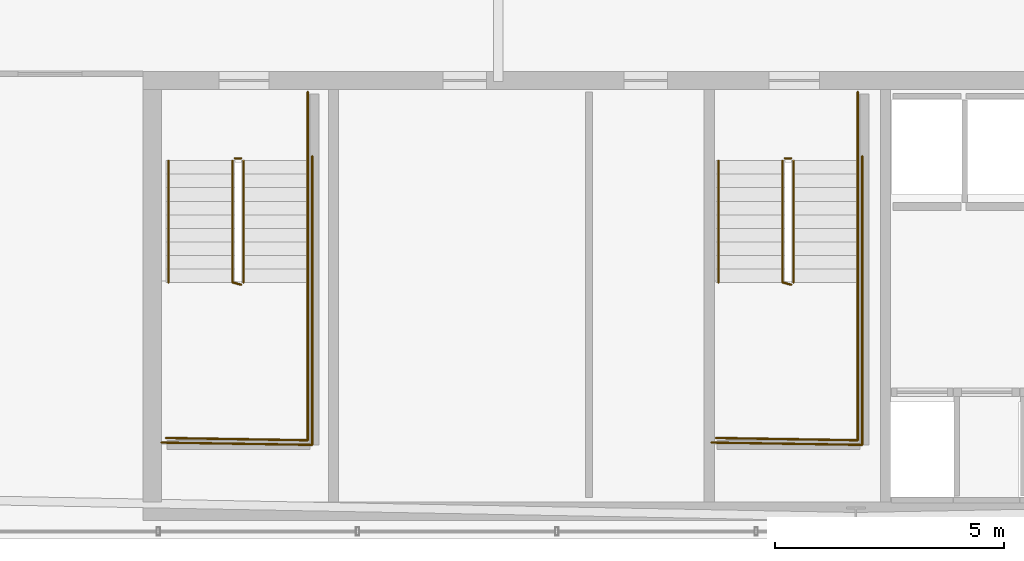
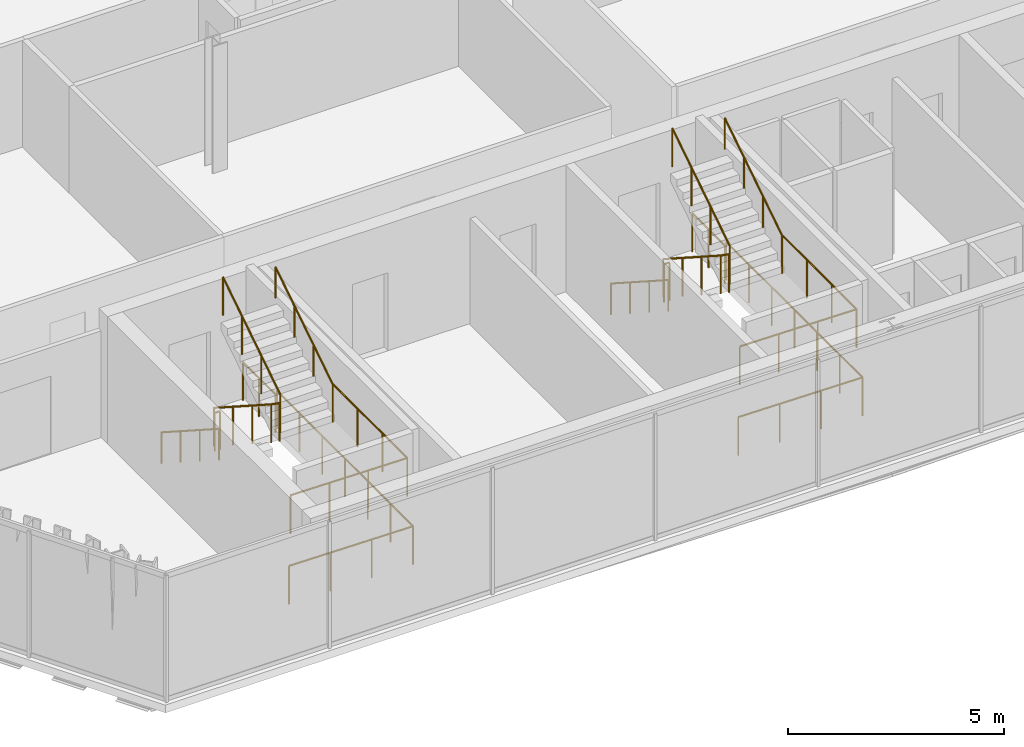
# One storey, part 27 of 29: 16 railings.
"""IFC4 building model written with IfcOpenShell, lengths in metres."""

from ifc_helpers import new_model, si_unit, direction, frame, origin, origin_2d, place, context, subcontext, project, spatial, circle, extrude, material, layer, layer_set, type_object, element, save


model = new_model("IFC4")

# Units and contexts
model_context = context("Model", 3, precision=1e-05, world=origin(), true_north=direction((0.0, 1.0)))
body_context = subcontext(model_context, "Body", "Model", "MODEL_VIEW")
ifc_project = project(units=[si_unit("LENGTHUNIT", "METRE"), si_unit("AREAUNIT", "SQUARE_METRE"), si_unit("VOLUMEUNIT", "CUBIC_METRE"), si_unit("PLANEANGLEUNIT", "RADIAN"), si_unit("MASSUNIT", "GRAM", prefix="KILO")], contexts=[model_context])

# Site, building, storey
site_placement = place(None, origin())
site = spatial("IfcSite", under=ifc_project, at=site_placement, CompositionType="ELEMENT")
building_placement = place(site_placement, origin())
building = spatial("IfcBuilding", under=site, at=building_placement, Name="Ndaravel Arena Tower", CompositionType="ELEMENT")
storey_placement = place(building_placement, frame((0.0, 0.0, 237.0)))
storey = spatial("IfcBuildingStorey", under=building, at=storey_placement, Name="L57", CompositionType="ELEMENT", Elevation=237.0)

# Railings
ifc_material_1 = material(Name="Steel S355", Category="steel")
ifc_layer_1 = layer(ifc_material_1, 0.06005859375)
ifc_layer_set_1 = layer_set([ifc_layer_1], Name="Steel S355")
railing_type_1 = type_object("IfcRailingType", Name="RAIL-STAIR-GD1100", PredefinedType="GUARDRAIL", material=ifc_layer_set_1)
railing_1_placement = place(storey_placement, frame((28.39990234375, 13.25, 0.18994140625)))
element("IfcRailing", 1, at=railing_1_placement, inside=storey, type_object=railing_type_1, Name="L57 ST-1 stair guard 1", PredefinedType="GUARDRAIL", context=body_context, shape_type="SweptSolid", body=[
    extrude(circle(Radius=0.02392578125, at=origin_2d()), frame((0.0, 0.0, 1.076171875), z_axis=(0.0, -0.840723540582, 0.54146461409), x_axis=(1.0, 0.0, 0.0)), (0.0, 0.0, 1.0), 3.157958984375),
    extrude(circle(Radius=0.02392578125, at=origin_2d()), frame((0.0, -2.655029296875, 2.7861328125), z_axis=(0.967074537263, -0.25449329928, 0.0), x_axis=(0.25449329928, 0.967074537263, 0.0)), (0.0, 0.0, 1.0), 0.19677734375),
    extrude(circle(Radius=0.02099609375, at=origin_2d()), origin(), (0.0, 0.0, 1.0), 1.052001953125),
    extrude(circle(Radius=0.02099609375, at=origin_2d()), frame((0.0, -0.885009765625, 0.570068359375)), (0.0, 0.0, 1.0), 1.052001953125),
    extrude(circle(Radius=0.02099609375, at=origin_2d()), frame((0.0, -1.77001953125, 1.139892578125)), (0.0, 0.0, 1.0), 1.052001953125),
    extrude(circle(Radius=0.02099609375, at=origin_2d()), frame((0.0, -2.655029296875, 1.7099609375)), (0.0, 0.0, 1.0), 1.052001953125),
    extrude(circle(Radius=0.02099609375, at=origin_2d()), frame((0.190185546875, -2.705078125, 1.7099609375)), (0.0, 0.0, 1.0), 1.052001953125),
])
railing_2_placement = place(storey_placement, frame((30.0400390625, 10.594970703125, 1.89990234375)))
element("IfcRailing", 2, at=railing_2_placement, inside=storey, type_object=railing_type_1, Name="L57 ST-1 stair guard 2", PredefinedType="GUARDRAIL", context=body_context, shape_type="SweptSolid", body=[
    extrude(circle(Radius=0.02392578125, at=origin_2d()), frame((0.0, 0.0, 1.076171875), z_axis=(0.0, -1.0, 0.0), x_axis=(1.0, 0.0, 0.0)), (0.0, 0.0, 1.0), 3.445068359375),
    extrude(circle(Radius=0.02392578125, at=origin_2d()), frame((0.0, -3.445068359375, 1.076171875), z_axis=(-0.999868861343, 0.016194447071, 0.0), x_axis=(-0.016194447071, -0.999868861343, 0.0)), (0.0, 0.0, 1.0), 3.090576171875),
    extrude(circle(Radius=0.02099609375, at=origin_2d()), origin(), (0.0, 0.0, 1.0), 1.052001953125),
    extrude(circle(Radius=0.02099609375, at=origin_2d()), frame((0.0, -1.1484375, 0.0)), (0.0, 0.0, 1.0), 1.052001953125),
    extrude(circle(Radius=0.02099609375, at=origin_2d()), frame((0.0, -2.296630859375, 0.0)), (0.0, 0.0, 1.0), 1.052001953125),
    extrude(circle(Radius=0.02099609375, at=origin_2d()), frame((0.0, -3.445068359375, 0.0)), (0.0, 0.0, 1.0), 1.052001953125),
    extrude(circle(Radius=0.02099609375, at=origin_2d()), frame((-1.030029296875, -3.428466796875, 0.0)), (0.0, 0.0, 1.0), 1.052001953125),
    extrude(circle(Radius=0.02099609375, at=origin_2d()), frame((-2.06005859375, -3.41162109375, 0.0)), (0.0, 0.0, 1.0), 1.052001953125),
    extrude(circle(Radius=0.02099609375, at=origin_2d()), frame((-3.090087890625, -3.39501953125, 0.0)), (0.0, 0.0, 1.0), 1.052001953125),
])
railing_3_placement = place(storey_placement, frame((28.639892578125, 10.594970703125, 2.090087890625)))
element("IfcRailing", 3, at=railing_3_placement, inside=storey, type_object=railing_type_1, Name="L57 ST-1 stair guard 3", PredefinedType="GUARDRAIL", context=body_context, shape_type="SweptSolid", body=[
    extrude(circle(Radius=0.02392578125, at=origin_2d()), frame((0.0, 0.0, 1.076171875), z_axis=(0.0, 0.840723540582, 0.54146461409), x_axis=(-1.0, 0.0, 0.0)), (0.0, 0.0, 1.0), 3.157958984375),
    extrude(circle(Radius=0.02099609375, at=origin_2d()), origin(), (0.0, 0.0, 1.0), 1.052001953125),
    extrude(circle(Radius=0.02099609375, at=origin_2d()), frame((0.0, 0.885009765625, 0.570068359375)), (0.0, 0.0, 1.0), 1.052001953125),
    extrude(circle(Radius=0.02099609375, at=origin_2d()), frame((0.0, 1.77001953125, 1.139892578125)), (0.0, 0.0, 1.0), 1.052001953125),
    extrude(circle(Radius=0.02099609375, at=origin_2d()), frame((0.0, 2.655029296875, 1.7099609375)), (0.0, 0.0, 1.0), 1.052001953125),
])
railing_4_placement = place(storey_placement, frame((28.449951171875, 13.300048828125, 0.0)))
element("IfcRailing", 4, at=railing_4_placement, inside=storey, type_object=railing_type_1, Name="L57 ST-1 stair guard 4", PredefinedType="GUARDRAIL", context=body_context, shape_type="SweptSolid", body=[
    extrude(circle(Radius=0.02392578125, at=origin_2d()), frame((0.0, 0.0, 1.076171875), z_axis=(1.0, 0.0, 0.0), x_axis=(0.0, 1.0, 0.0)), (0.0, 0.0, 1.0), 0.14013671875),
    extrude(circle(Radius=0.02099609375, at=origin_2d()), origin(), (0.0, 0.0, 1.0), 1.052001953125),
    extrude(circle(Radius=0.02099609375, at=origin_2d()), frame((0.14013671875, 0.0, 0.0)), (0.0, 0.0, 1.0), 1.052001953125),
])
railing_5_placement = place(storey_placement, frame((30.0400390625, 14.75, 0.0)))
element("IfcRailing", 5, at=railing_5_placement, inside=storey, type_object=railing_type_1, Name="L57 ST-1 stair guard 5", PredefinedType="GUARDRAIL", context=body_context, shape_type="SweptSolid", body=[
    extrude(circle(Radius=0.02392578125, at=origin_2d()), frame((0.0, 0.0, 1.076171875), z_axis=(0.0, -1.0, 0.0), x_axis=(1.0, 0.0, 0.0)), (0.0, 0.0, 1.0), 1.5),
    extrude(circle(Radius=0.02099609375, at=origin_2d()), origin(), (0.0, 0.0, 1.0), 1.052001953125),
    extrude(circle(Radius=0.02099609375, at=origin_2d()), frame((0.0, -0.75, 0.0)), (0.0, 0.0, 1.0), 1.052001953125),
    extrude(circle(Radius=0.02099609375, at=origin_2d()), frame((0.0, -1.5, 0.0)), (0.0, 0.0, 1.0), 1.052001953125),
])
railing_6_placement = place(storey_placement, frame((30.139892578125, 13.35009765625, 0.0)))
element("IfcRailing", 6, at=railing_6_placement, inside=storey, type_object=railing_type_1, Name="L57 ST-1 stair guard 6", PredefinedType="GUARDRAIL", context=body_context, shape_type="SweptSolid", body=[
    extrude(circle(Radius=0.02392578125, at=origin_2d()), frame((0.0, 0.0, 1.076171875), z_axis=(0.0, -1.0, 0.0), x_axis=(1.0, 0.0, 0.0)), (0.0, 0.0, 1.0), 6.300048828125),
    extrude(circle(Radius=0.02392578125, at=origin_2d()), frame((0.0, -6.300048828125, 1.076171875), z_axis=(-0.999884296952, 0.015211597839, 0.0), x_axis=(-0.015211597839, -0.999884296952, 0.0)), (0.0, 0.0, 1.0), 3.290283203125),
    extrude(circle(Radius=0.02099609375, at=origin_2d()), origin(), (0.0, 0.0, 1.0), 1.052001953125),
    extrude(circle(Radius=0.02099609375, at=origin_2d()), frame((0.0, -1.050048828125, 0.0)), (0.0, 0.0, 1.0), 1.052001953125),
    extrude(circle(Radius=0.02099609375, at=origin_2d()), frame((0.0, -2.10009765625, 0.0)), (0.0, 0.0, 1.0), 1.052001953125),
    extrude(circle(Radius=0.02099609375, at=origin_2d()), frame((0.0, -3.14990234375, 0.0)), (0.0, 0.0, 1.0), 1.052001953125),
    extrude(circle(Radius=0.02099609375, at=origin_2d()), frame((0.0, -4.199951171875, 0.0)), (0.0, 0.0, 1.0), 1.052001953125),
    extrude(circle(Radius=0.02099609375, at=origin_2d()), frame((0.0, -5.25, 0.0)), (0.0, 0.0, 1.0), 1.052001953125),
    extrude(circle(Radius=0.02099609375, at=origin_2d()), frame((0.0, -6.300048828125, 0.0)), (0.0, 0.0, 1.0), 1.052001953125),
    extrude(circle(Radius=0.02099609375, at=origin_2d()), frame((-1.0966796875, -6.283447265625, 0.0)), (0.0, 0.0, 1.0), 1.052001953125),
    extrude(circle(Radius=0.02099609375, at=origin_2d()), frame((-2.193115234375, -6.2666015625, 0.0)), (0.0, 0.0, 1.0), 1.052001953125),
    extrude(circle(Radius=0.02099609375, at=origin_2d()), frame((-3.289794921875, -6.25, 0.0)), (0.0, 0.0, 1.0), 1.052001953125),
])
railing_7_placement = place(storey_placement, frame((40.39990234375, 13.25, 0.18994140625)))
element("IfcRailing", 7, at=railing_7_placement, inside=storey, type_object=railing_type_1, Name="L57 ST-2 stair guard 1", PredefinedType="GUARDRAIL", context=body_context, shape_type="SweptSolid", body=[
    extrude(circle(Radius=0.02392578125, at=origin_2d()), frame((0.0, 0.0, 1.076171875), z_axis=(0.0, -0.840723540582, 0.54146461409), x_axis=(1.0, 0.0, 0.0)), (0.0, 0.0, 1.0), 3.157958984375),
    extrude(circle(Radius=0.02392578125, at=origin_2d()), frame((0.0, -2.655029296875, 2.7861328125), z_axis=(0.967074537263, -0.25449329928, 0.0), x_axis=(0.25449329928, 0.967074537263, 0.0)), (0.0, 0.0, 1.0), 0.19677734375),
    extrude(circle(Radius=0.02099609375, at=origin_2d()), origin(), (0.0, 0.0, 1.0), 1.052001953125),
    extrude(circle(Radius=0.02099609375, at=origin_2d()), frame((0.0, -0.885009765625, 0.570068359375)), (0.0, 0.0, 1.0), 1.052001953125),
    extrude(circle(Radius=0.02099609375, at=origin_2d()), frame((0.0, -1.77001953125, 1.139892578125)), (0.0, 0.0, 1.0), 1.052001953125),
    extrude(circle(Radius=0.02099609375, at=origin_2d()), frame((0.0, -2.655029296875, 1.7099609375)), (0.0, 0.0, 1.0), 1.052001953125),
    extrude(circle(Radius=0.02099609375, at=origin_2d()), frame((0.190185546875, -2.705078125, 1.7099609375)), (0.0, 0.0, 1.0), 1.052001953125),
])
railing_8_placement = place(storey_placement, frame((42.0400390625, 10.594970703125, 1.89990234375)))
element("IfcRailing", 8, at=railing_8_placement, inside=storey, type_object=railing_type_1, Name="L57 ST-2 stair guard 2", PredefinedType="GUARDRAIL", context=body_context, shape_type="SweptSolid", body=[
    extrude(circle(Radius=0.02392578125, at=origin_2d()), frame((0.0, 0.0, 1.076171875), z_axis=(0.0, -1.0, 0.0), x_axis=(1.0, 0.0, 0.0)), (0.0, 0.0, 1.0), 3.445068359375),
    extrude(circle(Radius=0.02392578125, at=origin_2d()), frame((0.0, -3.445068359375, 1.076171875), z_axis=(-0.999868861343, 0.016194447071, 0.0), x_axis=(-0.016194447071, -0.999868861343, 0.0)), (0.0, 0.0, 1.0), 3.090576171875),
    extrude(circle(Radius=0.02099609375, at=origin_2d()), origin(), (0.0, 0.0, 1.0), 1.052001953125),
    extrude(circle(Radius=0.02099609375, at=origin_2d()), frame((0.0, -1.1484375, 0.0)), (0.0, 0.0, 1.0), 1.052001953125),
    extrude(circle(Radius=0.02099609375, at=origin_2d()), frame((0.0, -2.296630859375, 0.0)), (0.0, 0.0, 1.0), 1.052001953125),
    extrude(circle(Radius=0.02099609375, at=origin_2d()), frame((0.0, -3.445068359375, 0.0)), (0.0, 0.0, 1.0), 1.052001953125),
    extrude(circle(Radius=0.02099609375, at=origin_2d()), frame((-1.030029296875, -3.428466796875, 0.0)), (0.0, 0.0, 1.0), 1.052001953125),
    extrude(circle(Radius=0.02099609375, at=origin_2d()), frame((-2.06005859375, -3.41162109375, 0.0)), (0.0, 0.0, 1.0), 1.052001953125),
    extrude(circle(Radius=0.02099609375, at=origin_2d()), frame((-3.090087890625, -3.39501953125, 0.0)), (0.0, 0.0, 1.0), 1.052001953125),
])
railing_9_placement = place(storey_placement, frame((40.639892578125, 10.594970703125, 2.090087890625)))
element("IfcRailing", 9, at=railing_9_placement, inside=storey, type_object=railing_type_1, Name="L57 ST-2 stair guard 3", PredefinedType="GUARDRAIL", context=body_context, shape_type="SweptSolid", body=[
    extrude(circle(Radius=0.02392578125, at=origin_2d()), frame((0.0, 0.0, 1.076171875), z_axis=(0.0, 0.840723540582, 0.54146461409), x_axis=(-1.0, 0.0, 0.0)), (0.0, 0.0, 1.0), 3.157958984375),
    extrude(circle(Radius=0.02099609375, at=origin_2d()), origin(), (0.0, 0.0, 1.0), 1.052001953125),
    extrude(circle(Radius=0.02099609375, at=origin_2d()), frame((0.0, 0.885009765625, 0.570068359375)), (0.0, 0.0, 1.0), 1.052001953125),
    extrude(circle(Radius=0.02099609375, at=origin_2d()), frame((0.0, 1.77001953125, 1.139892578125)), (0.0, 0.0, 1.0), 1.052001953125),
    extrude(circle(Radius=0.02099609375, at=origin_2d()), frame((0.0, 2.655029296875, 1.7099609375)), (0.0, 0.0, 1.0), 1.052001953125),
])
railing_10_placement = place(storey_placement, frame((40.449951171875, 13.300048828125, 0.0)))
element("IfcRailing", 10, at=railing_10_placement, inside=storey, type_object=railing_type_1, Name="L57 ST-2 stair guard 4", PredefinedType="GUARDRAIL", context=body_context, shape_type="SweptSolid", body=[
    extrude(circle(Radius=0.02392578125, at=origin_2d()), frame((0.0, 0.0, 1.076171875), z_axis=(1.0, 0.0, 0.0), x_axis=(0.0, 1.0, 0.0)), (0.0, 0.0, 1.0), 0.14013671875),
    extrude(circle(Radius=0.02099609375, at=origin_2d()), origin(), (0.0, 0.0, 1.0), 1.052001953125),
    extrude(circle(Radius=0.02099609375, at=origin_2d()), frame((0.14013671875, 0.0, 0.0)), (0.0, 0.0, 1.0), 1.052001953125),
])
railing_11_placement = place(storey_placement, frame((42.0400390625, 14.75, 0.0)))
element("IfcRailing", 11, at=railing_11_placement, inside=storey, type_object=railing_type_1, Name="L57 ST-2 stair guard 5", PredefinedType="GUARDRAIL", context=body_context, shape_type="SweptSolid", body=[
    extrude(circle(Radius=0.02392578125, at=origin_2d()), frame((0.0, 0.0, 1.076171875), z_axis=(0.0, -1.0, 0.0), x_axis=(1.0, 0.0, 0.0)), (0.0, 0.0, 1.0), 1.5),
    extrude(circle(Radius=0.02099609375, at=origin_2d()), origin(), (0.0, 0.0, 1.0), 1.052001953125),
    extrude(circle(Radius=0.02099609375, at=origin_2d()), frame((0.0, -0.75, 0.0)), (0.0, 0.0, 1.0), 1.052001953125),
    extrude(circle(Radius=0.02099609375, at=origin_2d()), frame((0.0, -1.5, 0.0)), (0.0, 0.0, 1.0), 1.052001953125),
])
railing_12_placement = place(storey_placement, frame((42.139892578125, 13.35009765625, 0.0)))
element("IfcRailing", 12, at=railing_12_placement, inside=storey, type_object=railing_type_1, Name="L57 ST-2 stair guard 6", PredefinedType="GUARDRAIL", context=body_context, shape_type="SweptSolid", body=[
    extrude(circle(Radius=0.02392578125, at=origin_2d()), frame((0.0, 0.0, 1.076171875), z_axis=(0.0, -1.0, 0.0), x_axis=(1.0, 0.0, 0.0)), (0.0, 0.0, 1.0), 6.300048828125),
    extrude(circle(Radius=0.02392578125, at=origin_2d()), frame((0.0, -6.300048828125, 1.076171875), z_axis=(-0.999884296952, 0.015211597839, 0.0), x_axis=(-0.015211597839, -0.999884296952, 0.0)), (0.0, 0.0, 1.0), 3.290283203125),
    extrude(circle(Radius=0.02099609375, at=origin_2d()), origin(), (0.0, 0.0, 1.0), 1.052001953125),
    extrude(circle(Radius=0.02099609375, at=origin_2d()), frame((0.0, -1.050048828125, 0.0)), (0.0, 0.0, 1.0), 1.052001953125),
    extrude(circle(Radius=0.02099609375, at=origin_2d()), frame((0.0, -2.10009765625, 0.0)), (0.0, 0.0, 1.0), 1.052001953125),
    extrude(circle(Radius=0.02099609375, at=origin_2d()), frame((0.0, -3.14990234375, 0.0)), (0.0, 0.0, 1.0), 1.052001953125),
    extrude(circle(Radius=0.02099609375, at=origin_2d()), frame((0.0, -4.199951171875, 0.0)), (0.0, 0.0, 1.0), 1.052001953125),
    extrude(circle(Radius=0.02099609375, at=origin_2d()), frame((0.0, -5.25, 0.0)), (0.0, 0.0, 1.0), 1.052001953125),
    extrude(circle(Radius=0.02099609375, at=origin_2d()), frame((0.0, -6.300048828125, 0.0)), (0.0, 0.0, 1.0), 1.052001953125),
    extrude(circle(Radius=0.02099609375, at=origin_2d()), frame((-1.0966796875, -6.283447265625, 0.0)), (0.0, 0.0, 1.0), 1.052001953125),
    extrude(circle(Radius=0.02099609375, at=origin_2d()), frame((-2.193115234375, -6.2666015625, 0.0)), (0.0, 0.0, 1.0), 1.052001953125),
    extrude(circle(Radius=0.02099609375, at=origin_2d()), frame((-3.289794921875, -6.25, 0.0)), (0.0, 0.0, 1.0), 1.052001953125),
])
ifc_material_2 = material(Name="Steel S355", Category="steel")
ifc_layer_2 = layer(ifc_material_2, 0.050048828125)
ifc_layer_set_2 = layer_set([ifc_layer_2], Name="Steel S355")
railing_type_2 = type_object("IfcRailingType", Name="RAIL-STAIR-HR920", PredefinedType="HANDRAIL", material=ifc_layer_set_2)
railing_13_placement = place(storey_placement, frame((27.0, 13.25, 0.18994140625)))
element("IfcRailing", 13, at=railing_13_placement, inside=storey, type_object=railing_type_2, Name="L57 ST-1 stair handrail 1", PredefinedType="HANDRAIL", context=body_context, shape_type="SweptSolid", body=[
    extrude(circle(Radius=0.02392578125, at=origin_2d()), frame((0.0, 0.0, 0.8759765625), z_axis=(0.0, -0.840723540582, 0.54146461409), x_axis=(1.0, 0.0, 0.0)), (0.0, 0.0, 1.0), 3.157958984375),
    extrude(circle(Radius=0.02099609375, at=origin_2d()), origin(), (0.0, 0.0, 1.0), 0.851806640625),
    extrude(circle(Radius=0.02099609375, at=origin_2d()), frame((0.0, -0.885009765625, 0.570068359375)), (0.0, 0.0, 1.0), 0.851806640625),
    extrude(circle(Radius=0.02099609375, at=origin_2d()), frame((0.0, -1.77001953125, 1.139892578125)), (0.0, 0.0, 1.0), 0.851806640625),
    extrude(circle(Radius=0.02099609375, at=origin_2d()), frame((0.0, -2.655029296875, 1.7099609375)), (0.0, 0.0, 1.0), 0.851806640625),
])
railing_14_placement = place(storey_placement, frame((30.0400390625, 10.594970703125, 2.090087890625)))
element("IfcRailing", 14, at=railing_14_placement, inside=storey, type_object=railing_type_2, Name="L57 ST-1 stair handrail 2", PredefinedType="HANDRAIL", context=body_context, shape_type="SweptSolid", body=[
    extrude(circle(Radius=0.02392578125, at=origin_2d()), frame((0.0, 0.0, 0.8759765625), z_axis=(0.0, 0.840723540582, 0.54146461409), x_axis=(-1.0, 0.0, 0.0)), (0.0, 0.0, 1.0), 3.157958984375),
    extrude(circle(Radius=0.02099609375, at=origin_2d()), origin(), (0.0, 0.0, 1.0), 0.851806640625),
    extrude(circle(Radius=0.02099609375, at=origin_2d()), frame((0.0, 0.885009765625, 0.570068359375)), (0.0, 0.0, 1.0), 0.851806640625),
    extrude(circle(Radius=0.02099609375, at=origin_2d()), frame((0.0, 1.77001953125, 1.139892578125)), (0.0, 0.0, 1.0), 0.851806640625),
    extrude(circle(Radius=0.02099609375, at=origin_2d()), frame((0.0, 2.655029296875, 1.7099609375)), (0.0, 0.0, 1.0), 0.851806640625),
])
railing_15_placement = place(storey_placement, frame((39.0, 13.25, 0.18994140625)))
element("IfcRailing", 15, at=railing_15_placement, inside=storey, type_object=railing_type_2, Name="L57 ST-2 stair handrail 1", PredefinedType="HANDRAIL", context=body_context, shape_type="SweptSolid", body=[
    extrude(circle(Radius=0.02392578125, at=origin_2d()), frame((0.0, 0.0, 0.8759765625), z_axis=(0.0, -0.840723540582, 0.54146461409), x_axis=(1.0, 0.0, 0.0)), (0.0, 0.0, 1.0), 3.157958984375),
    extrude(circle(Radius=0.02099609375, at=origin_2d()), origin(), (0.0, 0.0, 1.0), 0.851806640625),
    extrude(circle(Radius=0.02099609375, at=origin_2d()), frame((0.0, -0.885009765625, 0.570068359375)), (0.0, 0.0, 1.0), 0.851806640625),
    extrude(circle(Radius=0.02099609375, at=origin_2d()), frame((0.0, -1.77001953125, 1.139892578125)), (0.0, 0.0, 1.0), 0.851806640625),
    extrude(circle(Radius=0.02099609375, at=origin_2d()), frame((0.0, -2.655029296875, 1.7099609375)), (0.0, 0.0, 1.0), 0.851806640625),
])
railing_16_placement = place(storey_placement, frame((42.0400390625, 10.594970703125, 2.090087890625)))
element("IfcRailing", 16, at=railing_16_placement, inside=storey, type_object=railing_type_2, Name="L57 ST-2 stair handrail 2", PredefinedType="HANDRAIL", context=body_context, shape_type="SweptSolid", body=[
    extrude(circle(Radius=0.02392578125, at=origin_2d()), frame((0.0, 0.0, 0.8759765625), z_axis=(0.0, 0.840723540582, 0.54146461409), x_axis=(-1.0, 0.0, 0.0)), (0.0, 0.0, 1.0), 3.157958984375),
    extrude(circle(Radius=0.02099609375, at=origin_2d()), origin(), (0.0, 0.0, 1.0), 0.851806640625),
    extrude(circle(Radius=0.02099609375, at=origin_2d()), frame((0.0, 0.885009765625, 0.570068359375)), (0.0, 0.0, 1.0), 0.851806640625),
    extrude(circle(Radius=0.02099609375, at=origin_2d()), frame((0.0, 1.77001953125, 1.139892578125)), (0.0, 0.0, 1.0), 0.851806640625),
    extrude(circle(Radius=0.02099609375, at=origin_2d()), frame((0.0, 2.655029296875, 1.7099609375)), (0.0, 0.0, 1.0), 0.851806640625),
])

save(model, "model.ifc")
